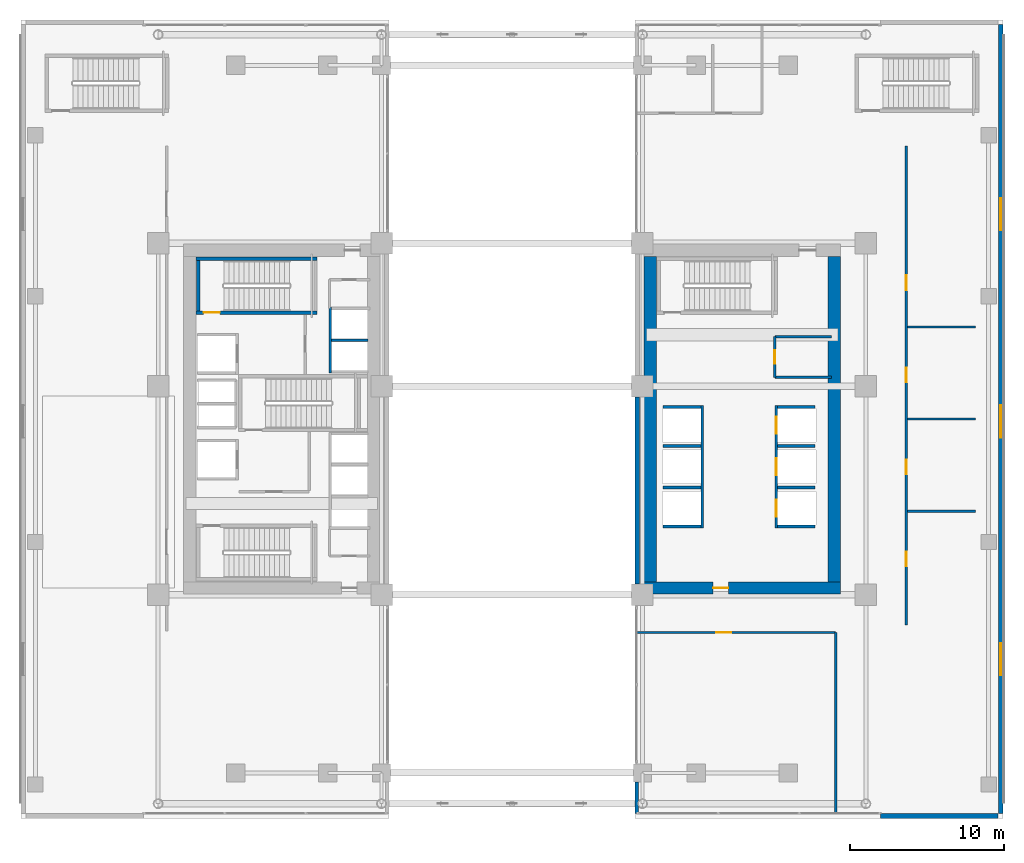
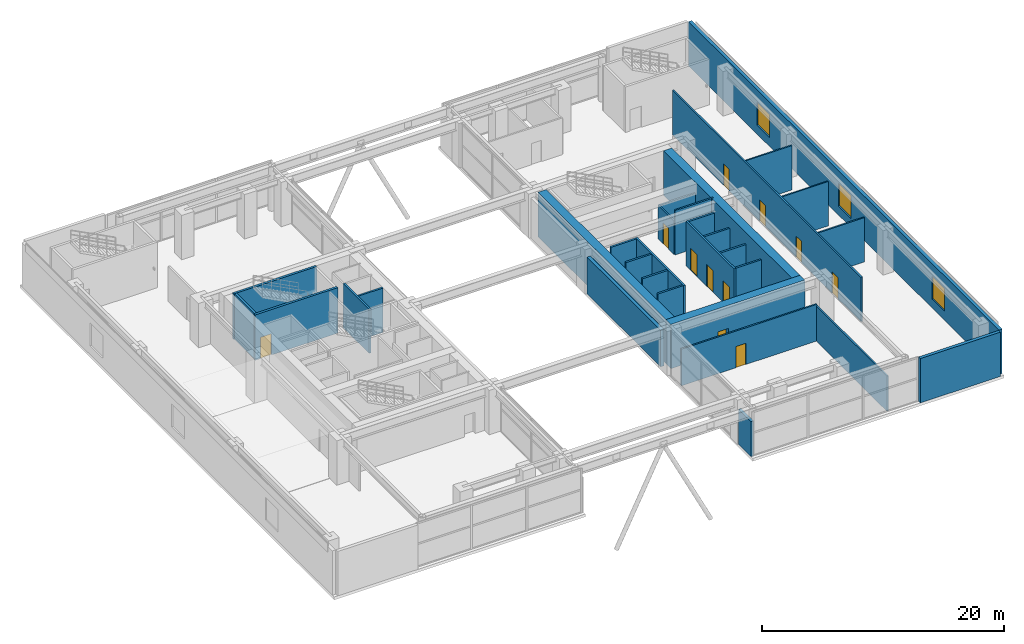
# One storey, part 23 of 30: 31 walls, 11 doors, 3 windows, 14 openings.
"""IFC4 building model written with IfcOpenShell, lengths in metres."""

from ifc_helpers import new_model, si_unit, direction, frame, frame_2d, origin, place, context, subcontext, project, spatial, rectangle, extrude, source, transform, mapped, material, layer, layer_set, type_object, element, fill, save


model = new_model("IFC4")

# Units and contexts
model_context = context("Model", 3, precision=1e-05, world=origin(), true_north=direction((0.0, 1.0)))
body_context = subcontext(model_context, "Body", "Model", "MODEL_VIEW")
ifc_project = project(units=[si_unit("LENGTHUNIT", "METRE"), si_unit("AREAUNIT", "SQUARE_METRE"), si_unit("VOLUMEUNIT", "CUBIC_METRE"), si_unit("PLANEANGLEUNIT", "RADIAN"), si_unit("MASSUNIT", "GRAM", prefix="KILO")], contexts=[model_context])

# Site, building, storey
site_placement = place(None, origin())
site = spatial("IfcSite", under=ifc_project, at=site_placement, CompositionType="ELEMENT")
building_placement = place(site_placement, origin())
building = spatial("IfcBuilding", under=site, at=building_placement, Name="Ocotamira Hotel", CompositionType="ELEMENT")
storey_placement = place(building_placement, frame((0.0, 0.0, 19.199951171875)))
storey = spatial("IfcBuildingStorey", under=building, at=storey_placement, Name="L04", CompositionType="ELEMENT", Elevation=19.199951171875)

# Wall, opening, door
ifc_material_1 = material(Name="Concrete C60/75", Category="concrete")
ifc_layer_1 = layer(ifc_material_1, 0.800048828125)
ifc_layer_set_1 = layer_set([ifc_layer_1], Name="Concrete C60/75")
wall_type_1 = type_object("IfcWallType", Name="WL-CORE-800", PredefinedType="SHEAR", material=ifc_layer_set_1)
wall_1_placement = place(storey_placement, frame((40.60009765625, 15.0, 0.0), z_axis=(0.0, 0.0, 1.0), x_axis=(1.0, 0.0, 0.0)))
wall_1 = element("IfcWall", 1, at=wall_1_placement, inside=storey, type_object=wall_type_1, Name="L04 Shear Core Wall ECORE-S", PredefinedType="SHEAR", context=body_context, shape_type="SweptSolid", body=[
    extrude(rectangle(XDim=12.7998046875, YDim=0.800048828125, at=frame_2d((6.39990234375, 0.0))), origin(), (0.0, 0.0, 1.0), 4.47998046875),
])
opening_1_placement = place(wall_1_placement, frame((4.5, 0.0, 0.0)))
opening_1 = element("IfcOpeningElement", 2, at=opening_1_placement, cuts=wall_1, Name="Opening D-FR2", PredefinedType="OPENING", context=body_context, shape_type="SweptSolid", body=[
    extrude(rectangle(XDim=1.0, YDim=2.14990234375, at=frame_2d((0.5, 1.074951171875))), frame((0.0, 0.41015625, 0.0), z_axis=(0.0, -1.0, 0.0), x_axis=(1.0, 0.0, 0.0)), (0.0, 0.0, 1.0), 0.820068359375),
])
ifc_material_2 = material(Name="Fire-rated acoustic timber-veneer door", Category="wood")
door_type_1 = type_object("IfcDoorType", Name="DR-FIRE-1000", OperationType="NOTDEFINED", PredefinedType="DOOR", material=ifc_material_2)
shared_shape_1 = source(origin(), body_context, "Body", "SweptSolid", [
    extrude(rectangle(XDim=1.0, YDim=2.14990234375, at=frame_2d((0.5, 1.074951171875))), frame((0.0, 0.02490234375, 0.0), z_axis=(0.0, -1.0, 0.0), x_axis=(1.0, 0.0, 0.0)), (0.0, 0.0, 1.0), 0.050048828125),
])
door_1_placement = place(opening_1_placement, origin())
door_1 = element("IfcDoor", 3, at=door_1_placement, inside=storey, type_object=door_type_1, Name="L04 Door ID-L04-ELOB-S-D [ID-L04-ELOB-S-D]", OperationType="SINGLE_SWING_RIGHT", OverallHeight=2.14990234375, OverallWidth=1.0, PredefinedType="DOOR", context=body_context, shape_type="MappedRepresentation", body=[
    mapped(shared_shape_1, transform((0.0, 0.0, 0.0), scale=1.0)),
])
fill(opening_1, door_1)

# Walls
for number, where, z_axis, x_axis, name in (
    (4, (41.0, 15.39990234375, 0.0), (0.0, 0.0, 1.0), (0.0, 1.0, 0.0), "L04 Shear Core Wall ECORE-W"),
    (5, (53.0, 15.39990234375, 0.0), (0.0, 0.0, 1.0), (0.0, 1.0, 0.0), "L04 Shear Core Wall ECORE-E"),
):
    element("IfcWall", number, at=place(storey_placement, frame(where, z_axis=z_axis, x_axis=x_axis)), inside=storey, type_object=wall_type_1, Name=name, PredefinedType="SHEAR", context=body_context, shape_type="SweptSolid", body=[
        extrude(rectangle(XDim=21.2001953125, YDim=0.800048828125, at=frame_2d((10.60009765625, 0.0))), origin(), (0.0, 0.0, 1.0), 4.47998046875),
    ])

# Wall, openings, windows
ifc_material_3 = material(Name="Travertine-clad precast concrete C45/55", Category="masonry")
ifc_layer_2 = layer(ifc_material_3, 0.300048828125)
ifc_layer_set_2 = layer_set([ifc_layer_2], Name="Travertine-clad precast concrete C45/55")
wall_type_2 = type_object("IfcWallType", Name="WL-EXT-POD-300", PredefinedType="SOLIDWALL", material=ifc_layer_set_2)
wall_2_placement = place(storey_placement, frame((63.85009765625, 51.699951171875, 0.0), z_axis=(0.0, 0.0, 1.0), x_axis=(0.0, -1.0, 0.0)))
wall_2 = element("IfcWall", 6, at=wall_2_placement, inside=storey, type_object=wall_type_2, Name="L04 East Podium Travertine Wall", PredefinedType="SOLIDWALL", context=body_context, shape_type="SweptSolid", body=[
    extrude(rectangle(XDim=51.39990234375, YDim=0.300048828125, at=frame_2d((25.699951171875, 0.0))), origin(), (0.0, 0.0, 1.0), 4.47998046875),
])
opening_2_placement = place(wall_2_placement, frame((40.300048828125, 0.0, 0.89990234375)))
opening_2 = element("IfcOpeningElement", 7, at=opening_2_placement, cuts=wall_2, Name="Opening WN-5", PredefinedType="OPENING", context=body_context, shape_type="SweptSolid", body=[
    extrude(rectangle(XDim=2.10009765625, YDim=2.300048828125, at=frame_2d((1.050048828125, 1.14990234375))), frame((0.0, 0.16015625, 0.0), z_axis=(0.0, -1.0, 0.0), x_axis=(1.0, 0.0, 0.0)), (0.0, 0.0, 1.0), 0.320068359375),
])
opening_3_placement = place(wall_2_placement, frame((24.800048828125, 0.0, 0.89990234375)))
opening_3 = element("IfcOpeningElement", 8, at=opening_3_placement, cuts=wall_2, Name="Opening WN-5", PredefinedType="OPENING", context=body_context, shape_type="SweptSolid", body=[
    extrude(rectangle(XDim=2.10009765625, YDim=2.300048828125, at=frame_2d((1.050048828125, 1.14990234375))), frame((0.0, 0.16015625, 0.0), z_axis=(0.0, -1.0, 0.0), x_axis=(1.0, 0.0, 0.0)), (0.0, 0.0, 1.0), 0.320068359375),
])
opening_4_placement = place(wall_2_placement, frame((11.300048828125, 0.0, 0.89990234375)))
opening_4 = element("IfcOpeningElement", 9, at=opening_4_placement, cuts=wall_2, Name="Opening WN-5", PredefinedType="OPENING", context=body_context, shape_type="SweptSolid", body=[
    extrude(rectangle(XDim=2.10009765625, YDim=2.300048828125, at=frame_2d((1.050048828125, 1.14990234375))), frame((0.0, 0.16015625, 0.0), z_axis=(0.0, -1.0, 0.0), x_axis=(1.0, 0.0, 0.0)), (0.0, 0.0, 1.0), 0.320068359375),
])
ifc_material_4 = material(Name="Double-silver low-E solar glass", Category="glass")
window_type = type_object("IfcWindowType", Name="WIN-POD-2100", PartitioningType="SINGLE_PANEL", PredefinedType="WINDOW", material=ifc_material_4)
shared_shape_2 = source(origin(), body_context, "Body", "SweptSolid", [
    extrude(rectangle(XDim=2.10009765625, YDim=2.300048828125, at=frame_2d((1.050048828125, 1.14990234375))), frame((0.0, 0.030029296875, 0.0), z_axis=(0.0, -1.0, 0.0), x_axis=(1.0, 0.0, 0.0)), (0.0, 0.0, 1.0), 0.06005859375),
])
window_1_placement = place(opening_2_placement, origin())
window_1 = element("IfcWindow", 10, at=window_1_placement, inside=storey, type_object=window_type, Name="L04 East Podium Window 1", OverallHeight=2.300048828125, OverallWidth=2.10009765625, PartitioningType="SINGLE_PANEL", PredefinedType="WINDOW", context=body_context, shape_type="MappedRepresentation", body=[
    mapped(shared_shape_2, transform((0.0, 0.0, 0.0), scale=1.0)),
])
fill(opening_2, window_1)
window_2_placement = place(opening_3_placement, origin())
window_2 = element("IfcWindow", 11, at=window_2_placement, inside=storey, type_object=window_type, Name="L04 East Podium Window 2", OverallHeight=2.300048828125, OverallWidth=2.10009765625, PartitioningType="SINGLE_PANEL", PredefinedType="WINDOW", context=body_context, shape_type="MappedRepresentation", body=[
    mapped(shared_shape_2, transform((0.0, 0.0, 0.0), scale=1.0)),
])
fill(opening_3, window_2)
window_3_placement = place(opening_4_placement, origin())
window_3 = element("IfcWindow", 12, at=window_3_placement, inside=storey, type_object=window_type, Name="L04 East Podium Window 3", OverallHeight=2.300048828125, OverallWidth=2.10009765625, PartitioningType="SINGLE_PANEL", PredefinedType="WINDOW", context=body_context, shape_type="MappedRepresentation", body=[
    mapped(shared_shape_2, transform((0.0, 0.0, 0.0), scale=1.0)),
])
fill(opening_4, window_3)

# Walls
wall_3_placement = place(storey_placement, frame((63.64990234375, 0.14990234375, 0.0), z_axis=(0.0, 0.0, 1.0), x_axis=(-1.0, 0.0, 0.0)))
element("IfcWall", 13, at=wall_3_placement, inside=storey, type_object=wall_type_2, Name="L04 S-East Podium Wall", PredefinedType="SOLIDWALL", context=body_context, shape_type="SweptSolid", body=[
    extrude(rectangle(XDim=7.64990234375, YDim=0.300048828125, at=frame_2d((3.824951171875, 0.0))), origin(), (0.0, 0.0, 1.0), 4.47998046875),
])
wall_4_placement = place(storey_placement, frame((40.1201171875, 0.300048828125, 0.0), z_axis=(0.0, 0.0, 1.0), x_axis=(0.0, 1.0, 0.0)))
element("IfcWall", 14, at=wall_4_placement, inside=storey, type_object=wall_type_2, Name="L04 Giant Arch South Corner Cheek Wall AE", PredefinedType="SOLIDWALL", context=body_context, shape_type="SweptSolid", body=[
    extrude(rectangle(XDim=2.050048828125, YDim=0.239990234375, at=frame_2d((1.02490234375, 0.0))), origin(), (0.0, 0.0, 1.0), 3.531982421875),
])
wall_5_placement = place(storey_placement, frame((40.14990234375, 15.25, 0.0), z_axis=(0.0, 0.0, 1.0), x_axis=(0.0, 1.0, 0.0)))
element("IfcWall", 15, at=wall_5_placement, inside=storey, type_object=wall_type_2, Name="L04 Giant Arch Core Cheek Wall AE-1", PredefinedType="SOLIDWALL", context=body_context, shape_type="SweptSolid", body=[
    extrude(rectangle(XDim=12.199951171875, YDim=0.300048828125, at=frame_2d((6.10009765625, 0.0))), origin(), (0.0, 0.0, 1.0), 3.700927734375),
])
ifc_material_5 = material(Name="Acoustic double-layer fire gypsum board partition", Category="gypsum")
ifc_layer_3 = layer(ifc_material_5, 0.159912109375)
ifc_layer_set_3 = layer_set([ifc_layer_3], Name="Acoustic double-layer fire gypsum board partition")
wall_type_3 = type_object("IfcWallType", Name="WL-FIRE-160", PredefinedType="PARTITIONING", material=ifc_layer_set_3)
wall_6_placement = place(storey_placement, frame((49.1201171875, 28.719970703125, 0.0), z_axis=(0.0, 0.0, 1.0), x_axis=(1.0, 0.0, 0.0)))
element("IfcWall", 16, at=wall_6_placement, inside=storey, type_object=wall_type_3, Name="L04 Interior Wall PW-L04-EC-NEC-S", PredefinedType="PARTITIONING", context=body_context, shape_type="SweptSolid", body=[
    extrude(rectangle(XDim=3.679931640625, YDim=0.159912109375, at=frame_2d((1.83984375, 0.0))), origin(), (0.0, 0.0, 1.0), 4.47998046875),
])
wall_7_placement = place(storey_placement, frame((49.1201171875, 31.3798828125, 0.0), z_axis=(0.0, 0.0, 1.0), x_axis=(1.0, 0.0, 0.0)))
element("IfcWall", 17, at=wall_7_placement, inside=storey, type_object=wall_type_3, Name="L04 Interior Wall PW-L04-EC-NEC-N", PredefinedType="PARTITIONING", context=body_context, shape_type="SweptSolid", body=[
    extrude(rectangle(XDim=3.679931640625, YDim=0.159912109375, at=frame_2d((1.83984375, 0.0))), origin(), (0.0, 0.0, 1.0), 3.380126953125),
])

# Wall, opening, door
wall_8_placement = place(storey_placement, frame((49.1201171875, 28.719970703125, 0.0), z_axis=(0.0, 0.0, 1.0), x_axis=(0.0, 1.0, 0.0)))
wall_8 = element("IfcWall", 18, at=wall_8_placement, inside=storey, type_object=wall_type_3, Name="L04 Interior Wall PW-L04-EC-NEC-W", PredefinedType="PARTITIONING", context=body_context, shape_type="SweptSolid", body=[
    extrude(rectangle(XDim=2.659912109375, YDim=0.159912109375, at=frame_2d((1.330078125, 0.0))), origin(), (0.0, 0.0, 1.0), 3.380126953125),
])
opening_5_placement = place(wall_8_placement, frame((0.89990234375, 0.0, 0.0)))
opening_5 = element("IfcOpeningElement", 19, at=opening_5_placement, cuts=wall_8, Name="Opening D-SV2", PredefinedType="OPENING", context=body_context, shape_type="SweptSolid", body=[
    extrude(rectangle(XDim=0.8798828125, YDim=2.14990234375, at=frame_2d((0.43994140625, 1.074951171875))), frame((0.0, 0.08984375, 0.0), z_axis=(0.0, -1.0, 0.0), x_axis=(1.0, 0.0, 0.0)), (0.0, 0.0, 1.0), 0.179931640625),
])
ifc_material_6 = material(Name="Fire-rated painted steel service door", Category="steel")
door_type_2 = type_object("IfcDoorType", Name="DR-SERV-880", OperationType="NOTDEFINED", PredefinedType="DOOR", material=ifc_material_6)
shared_shape_3 = source(origin(), body_context, "Body", "SweptSolid", [
    extrude(rectangle(XDim=0.8798828125, YDim=2.14990234375, at=frame_2d((0.43994140625, 1.074951171875))), frame((0.0, 0.02490234375, 0.0), z_axis=(0.0, -1.0, 0.0), x_axis=(1.0, 0.0, 0.0)), (0.0, 0.0, 1.0), 0.050048828125),
])
door_2_placement = place(opening_5_placement, origin())
door_2 = element("IfcDoor", 20, at=door_2_placement, inside=storey, type_object=door_type_2, Name="L04 Door ID-L04-EC-NEC-D [ID-L04-EC-NEC-D]", OperationType="SINGLE_SWING_LEFT", OverallHeight=2.14990234375, OverallWidth=0.8798828125, PredefinedType="DOOR", context=body_context, shape_type="MappedRepresentation", body=[
    mapped(shared_shape_3, transform((0.0, 0.0, 0.0), scale=1.0)),
])
fill(opening_5, door_2)

# Walls
ifc_material_7 = material(Name="Acoustic hospitality gypsum board partition", Category="gypsum")
ifc_layer_4 = layer(ifc_material_7, 0.135009765625)
ifc_layer_set_4 = layer_set([ifc_layer_4], Name="Acoustic hospitality gypsum board partition")
wall_type_4 = type_object("IfcWallType", Name="WL-PART-135", PredefinedType="PARTITIONING", material=ifc_layer_set_4)
for number, where, z_axis, x_axis, name in (
    (21, (57.760009765625, 20.0, 0.0), (0.0, 0.0, 1.0), (1.0, 0.0, 0.0), "L04 Interior Wall PW-L04-L04-MTDIV1"),
    (22, (57.760009765625, 26.0, 0.0), (0.0, 0.0, 1.0), (1.0, 0.0, 0.0), "L04 Interior Wall PW-L04-L04-MTDIV2"),
    (23, (57.760009765625, 32.0, 0.0), (0.0, 0.0, 1.0), (1.0, 0.0, 0.0), "L04 Interior Wall PW-L04-L04-MTDIV3"),
):
    element("IfcWall", number, at=place(storey_placement, frame(where, z_axis=z_axis, x_axis=x_axis)), inside=storey, type_object=wall_type_4, Name=name, PredefinedType="PARTITIONING", context=body_context, shape_type="SweptSolid", body=[
        extrude(rectangle(XDim=4.43994140625, YDim=0.135009765625, at=frame_2d((2.219970703125, 0.0))), origin(), (0.0, 0.0, 1.0), 4.47998046875),
    ])

# Wall, openings, doors
ifc_layer_5 = layer(ifc_material_7, 0.14990234375)
ifc_layer_set_5 = layer_set([ifc_layer_5], Name="Acoustic hospitality gypsum board partition")
wall_type_5 = type_object("IfcWallType", Name="WL-PART-150", PredefinedType="PARTITIONING", material=ifc_layer_set_5)
wall_9_placement = place(storey_placement, frame((57.679931640625, 12.60009765625, 0.0), z_axis=(0.0, 0.0, 1.0), x_axis=(0.0, 1.0, 0.0)))
wall_9 = element("IfcWall", 24, at=wall_9_placement, inside=storey, type_object=wall_type_5, Name="L04 Interior Wall PW-L04-L04-MTE-W", PredefinedType="PARTITIONING", context=body_context, shape_type="SweptSolid", body=[
    extrude(rectangle(XDim=31.199951171875, YDim=0.14990234375, at=frame_2d((15.60009765625, 0.0))), origin(), (0.0, 0.0, 1.0), 4.47998046875),
])
opening_6_placement = place(wall_9_placement, frame((3.800048828125, 0.0, 0.0)))
opening_6 = element("IfcOpeningElement", 25, at=opening_6_placement, cuts=wall_9, Name="Opening D-SV4", PredefinedType="OPENING", context=body_context, shape_type="SweptSolid", body=[
    extrude(rectangle(XDim=0.9599609375, YDim=2.14990234375, at=frame_2d((0.47998046875, 1.074951171875))), frame((0.0, 0.0849609375, 0.0), z_axis=(0.0, -1.0, 0.0), x_axis=(1.0, 0.0, 0.0)), (0.0, 0.0, 1.0), 0.169921875),
])
opening_7_placement = place(wall_9_placement, frame((9.800048828125, 0.0, 0.0)))
opening_7 = element("IfcOpeningElement", 26, at=opening_7_placement, cuts=wall_9, Name="Opening D-SV4", PredefinedType="OPENING", context=body_context, shape_type="SweptSolid", body=[
    extrude(rectangle(XDim=0.9599609375, YDim=2.14990234375, at=frame_2d((0.47998046875, 1.074951171875))), frame((0.0, 0.0849609375, 0.0), z_axis=(0.0, -1.0, 0.0), x_axis=(1.0, 0.0, 0.0)), (0.0, 0.0, 1.0), 0.169921875),
])
opening_8_placement = place(wall_9_placement, frame((15.800048828125, 0.0, 0.0)))
opening_8 = element("IfcOpeningElement", 27, at=opening_8_placement, cuts=wall_9, Name="Opening D-SV4", PredefinedType="OPENING", context=body_context, shape_type="SweptSolid", body=[
    extrude(rectangle(XDim=0.9599609375, YDim=2.14990234375, at=frame_2d((0.47998046875, 1.074951171875))), frame((0.0, 0.0849609375, 0.0), z_axis=(0.0, -1.0, 0.0), x_axis=(1.0, 0.0, 0.0)), (0.0, 0.0, 1.0), 0.169921875),
])
opening_9_placement = place(wall_9_placement, frame((21.800048828125, 0.0, 0.0)))
opening_9 = element("IfcOpeningElement", 28, at=opening_9_placement, cuts=wall_9, Name="Opening D-SV4", PredefinedType="OPENING", context=body_context, shape_type="SweptSolid", body=[
    extrude(rectangle(XDim=0.9599609375, YDim=2.14990234375, at=frame_2d((0.47998046875, 1.074951171875))), frame((0.0, 0.0849609375, 0.0), z_axis=(0.0, -1.0, 0.0), x_axis=(1.0, 0.0, 0.0)), (0.0, 0.0, 1.0), 0.169921875),
])
ifc_material_8 = material(Name="Fire-rated accessible walnut salon door", Category="wood")
door_type_3 = type_object("IfcDoorType", Name="DR-SERV-960", OperationType="NOTDEFINED", PredefinedType="DOOR", material=ifc_material_8)
shared_shape_4 = source(origin(), body_context, "Body", "SweptSolid", [
    extrude(rectangle(XDim=0.9599609375, YDim=2.14990234375, at=frame_2d((0.47998046875, 1.074951171875))), frame((0.0, 0.02490234375, 0.0), z_axis=(0.0, -1.0, 0.0), x_axis=(1.0, 0.0, 0.0)), (0.0, 0.0, 1.0), 0.050048828125),
])
door_3_placement = place(opening_6_placement, origin())
door_3 = element("IfcDoor", 29, at=door_3_placement, inside=storey, type_object=door_type_3, Name="L04 Door ID-L04-L04-MTD1 [ID-L04-L04-MTD1]", OperationType="SINGLE_SWING_LEFT", OverallHeight=2.14990234375, OverallWidth=0.9599609375, PredefinedType="DOOR", context=body_context, shape_type="MappedRepresentation", body=[
    mapped(shared_shape_4, transform((0.0, 0.0, 0.0), scale=1.0)),
])
fill(opening_6, door_3)
door_4_placement = place(opening_7_placement, origin())
door_4 = element("IfcDoor", 30, at=door_4_placement, inside=storey, type_object=door_type_3, Name="L04 Door ID-L04-L04-MTD2 [ID-L04-L04-MTD2]", OperationType="SINGLE_SWING_RIGHT", OverallHeight=2.14990234375, OverallWidth=0.9599609375, PredefinedType="DOOR", context=body_context, shape_type="MappedRepresentation", body=[
    mapped(shared_shape_4, transform((0.0, 0.0, 0.0), scale=1.0)),
])
fill(opening_7, door_4)
door_5_placement = place(opening_8_placement, origin())
door_5 = element("IfcDoor", 31, at=door_5_placement, inside=storey, type_object=door_type_3, Name="L04 Door ID-L04-L04-MTD3 [ID-L04-L04-MTD3]", OperationType="SINGLE_SWING_LEFT", OverallHeight=2.14990234375, OverallWidth=0.9599609375, PredefinedType="DOOR", context=body_context, shape_type="MappedRepresentation", body=[
    mapped(shared_shape_4, transform((0.0, 0.0, 0.0), scale=1.0)),
])
fill(opening_8, door_5)
door_6_placement = place(opening_9_placement, origin())
door_6 = element("IfcDoor", 32, at=door_6_placement, inside=storey, type_object=door_type_3, Name="L04 Door ID-L04-L04-MTD4 [ID-L04-L04-MTD4]", OperationType="SINGLE_SWING_RIGHT", OverallHeight=2.14990234375, OverallWidth=0.9599609375, PredefinedType="DOOR", context=body_context, shape_type="MappedRepresentation", body=[
    mapped(shared_shape_4, transform((0.0, 0.0, 0.0), scale=1.0)),
])
fill(opening_9, door_6)

# Wall
wall_10_placement = place(storey_placement, frame((53.080078125, 0.35009765625, 0.0), z_axis=(0.0, 0.0, 1.0), x_axis=(0.0, 1.0, 0.0)))
element("IfcWall", 33, at=wall_10_placement, inside=storey, type_object=wall_type_5, Name="L04 Interior Wall PW-L04-L04-BRD-E", PredefinedType="PARTITIONING", context=body_context, shape_type="SweptSolid", body=[
    extrude(rectangle(XDim=11.75, YDim=0.14990234375, at=frame_2d((5.875, 0.0))), origin(), (0.0, 0.0, 1.0), 3.552978515625),
])

# Wall, opening, door
wall_11_placement = place(storey_placement, frame((40.1201171875, 12.10009765625, 0.0), z_axis=(0.0, 0.0, 1.0), x_axis=(1.0, 0.0, 0.0)))
wall_11 = element("IfcWall", 34, at=wall_11_placement, inside=storey, type_object=wall_type_5, Name="L04 Interior Wall PW-L04-L04-BRD-N", PredefinedType="PARTITIONING", context=body_context, shape_type="SweptSolid", body=[
    extrude(rectangle(XDim=12.9599609375, YDim=0.14990234375, at=frame_2d((6.47998046875, 0.0))), origin(), (0.0, 0.0, 1.0), 3.700927734375),
])
opening_10_placement = place(wall_11_placement, frame((5.199951171875, 0.0, 0.0)))
opening_10 = element("IfcOpeningElement", 35, at=opening_10_placement, cuts=wall_11, Name="Opening D-SV4", PredefinedType="OPENING", context=body_context, shape_type="SweptSolid", body=[
    extrude(rectangle(XDim=0.9599609375, YDim=2.14990234375, at=frame_2d((0.47998046875, 1.074951171875))), frame((0.0, 0.0849609375, 0.0), z_axis=(0.0, -1.0, 0.0), x_axis=(1.0, 0.0, 0.0)), (0.0, 0.0, 1.0), 0.169921875),
])
door_7_placement = place(opening_10_placement, origin())
door_7 = element("IfcDoor", 36, at=door_7_placement, inside=storey, type_object=door_type_3, Name="L04 Door ID-L04-L04-BRD-D [ID-L04-L04-BRD-D]", OperationType="SINGLE_SWING_RIGHT", OverallHeight=2.14990234375, OverallWidth=0.9599609375, PredefinedType="DOOR", context=body_context, shape_type="MappedRepresentation", body=[
    mapped(shared_shape_4, transform((0.0, 0.0, 0.0), scale=1.0)),
])
fill(opening_10, door_7)

# Wall, openings, doors
ifc_material_9 = material(Name="Fire-rated gypsum shaftliner board assembly", Category="gypsum")
ifc_layer_6 = layer(ifc_material_9, 0.179931640625)
ifc_layer_set_6 = layer_set([ifc_layer_6], Name="Fire-rated gypsum shaftliner board assembly")
wall_type_6 = type_object("IfcWallType", Name="WL-SHAFT-180", PredefinedType="SOLIDWALL", material=ifc_layer_set_6)
wall_12_placement = place(storey_placement, frame((49.2099609375, 18.919921875, 0.0), z_axis=(0.0, 0.0, 1.0), x_axis=(0.0, 1.0, 0.0)))
wall_12 = element("IfcWall", 37, at=wall_12_placement, inside=storey, type_object=wall_type_6, Name="L04 Interior Wall PW-L04-LFW-BANK-low-F", PredefinedType="SOLIDWALL", context=body_context, shape_type="SweptSolid", body=[
    extrude(rectangle(XDim=7.9599609375, YDim=0.179931640625, at=frame_2d((3.97998046875, 0.0))), origin(), (0.0, 0.0, 1.0), 4.47998046875),
])
opening_11_placement = place(wall_12_placement, frame((0.72998046875, 0.0, 0.0)))
opening_11 = element("IfcOpeningElement", 38, at=opening_11_placement, cuts=wall_12, Name="Opening LD-LF-P1", PredefinedType="OPENING", context=body_context, shape_type="SweptSolid", body=[
    extrude(rectangle(XDim=1.10009765625, YDim=2.199951171875, at=frame_2d((0.550048828125, 1.10009765625))), frame((0.0, 0.10009765625, 0.0), z_axis=(0.0, -1.0, 0.0), x_axis=(1.0, 0.0, 0.0)), (0.0, 0.0, 1.0), 0.199951171875),
])
opening_12_placement = place(wall_12_placement, frame((3.429931640625, 0.0, 0.0)))
opening_12 = element("IfcOpeningElement", 39, at=opening_12_placement, cuts=wall_12, Name="Opening LD-LF-P2", PredefinedType="OPENING", context=body_context, shape_type="SweptSolid", body=[
    extrude(rectangle(XDim=1.10009765625, YDim=2.199951171875, at=frame_2d((0.550048828125, 1.10009765625))), frame((0.0, 0.10009765625, 0.0), z_axis=(0.0, -1.0, 0.0), x_axis=(1.0, 0.0, 0.0)), (0.0, 0.0, 1.0), 0.199951171875),
])
opening_13_placement = place(wall_12_placement, frame((6.1298828125, 0.0, 0.0)))
opening_13 = element("IfcOpeningElement", 40, at=opening_13_placement, cuts=wall_12, Name="Opening LD-LF-P3", PredefinedType="OPENING", context=body_context, shape_type="SweptSolid", body=[
    extrude(rectangle(XDim=1.10009765625, YDim=2.199951171875, at=frame_2d((0.550048828125, 1.10009765625))), frame((0.0, 0.10009765625, 0.0), z_axis=(0.0, -1.0, 0.0), x_axis=(1.0, 0.0, 0.0)), (0.0, 0.0, 1.0), 0.199951171875),
])
ifc_material_10 = material(Name="Brushed pale-metal stainless elevator landing door", Category="steel")
door_type_4 = type_object("IfcDoorType", Name="DR-LIFT-1100", OperationType="NOTDEFINED", PredefinedType="DOOR", material=ifc_material_10)
shared_shape_5 = source(origin(), body_context, "Body", "SweptSolid", [
    extrude(rectangle(XDim=1.10009765625, YDim=2.199951171875, at=frame_2d((0.550048828125, 1.10009765625))), frame((0.0, 0.02490234375, 0.0), z_axis=(0.0, -1.0, 0.0), x_axis=(1.0, 0.0, 0.0)), (0.0, 0.0, 1.0), 0.050048828125),
])
door_8_placement = place(opening_11_placement, origin())
door_8 = element("IfcDoor", 41, at=door_8_placement, inside=storey, type_object=door_type_4, Name="L04 Landing Door LD-LF-P1 [ID-L04-LD-LF-P1]", OperationType="DOUBLE_DOOR_SLIDING", OverallHeight=2.199951171875, OverallWidth=1.10009765625, PredefinedType="DOOR", context=body_context, shape_type="MappedRepresentation", body=[
    mapped(shared_shape_5, transform((0.0, 0.0, 0.0), scale=1.0)),
])
fill(opening_11, door_8)
door_9_placement = place(opening_12_placement, origin())
door_9 = element("IfcDoor", 42, at=door_9_placement, inside=storey, type_object=door_type_4, Name="L04 Landing Door LD-LF-P2 [ID-L04-LD-LF-P2]", OperationType="DOUBLE_DOOR_SLIDING", OverallHeight=2.199951171875, OverallWidth=1.10009765625, PredefinedType="DOOR", context=body_context, shape_type="MappedRepresentation", body=[
    mapped(shared_shape_5, transform((0.0, 0.0, 0.0), scale=1.0)),
])
fill(opening_12, door_9)
door_10_placement = place(opening_13_placement, origin())
door_10 = element("IfcDoor", 43, at=door_10_placement, inside=storey, type_object=door_type_4, Name="L04 Landing Door LD-LF-P3 [ID-L04-LD-LF-P3]", OperationType="DOUBLE_DOOR_SLIDING", OverallHeight=2.199951171875, OverallWidth=1.10009765625, PredefinedType="DOOR", context=body_context, shape_type="MappedRepresentation", body=[
    mapped(shared_shape_5, transform((0.0, 0.0, 0.0), scale=1.0)),
])
fill(opening_13, door_10)

# Walls
for number, where, z_axis, x_axis, name in (
    (44, (49.300048828125, 19.010009765625, 0.0), (0.0, 0.0, 1.0), (1.0, 0.0, 0.0), "L04 Interior Wall PW-L04-LFW-BANK-low-S"),
    (45, (49.300048828125, 26.7900390625, 0.0), (0.0, 0.0, 1.0), (1.0, 0.0, 0.0), "L04 Interior Wall PW-L04-LFW-BANK-low-N"),
    (46, (49.300048828125, 21.550048828125, 0.0), (0.0, 0.0, 1.0), (1.0, 0.0, 0.0), "L04 Interior Wall PW-L04-LFW-DIV-LF-P1"),
    (47, (49.300048828125, 24.25, 0.0), (0.0, 0.0, 1.0), (1.0, 0.0, 0.0), "L04 Interior Wall PW-L04-LFW-DIV-LF-P2"),
):
    element("IfcWall", number, at=place(storey_placement, frame(where, z_axis=z_axis, x_axis=x_axis)), inside=storey, type_object=wall_type_6, Name=name, PredefinedType="SOLIDWALL", context=body_context, shape_type="SweptSolid", body=[
        extrude(rectangle(XDim=2.449951171875, YDim=0.179931640625, at=frame_2d((1.22509765625, 0.0))), origin(), (0.0, 0.0, 1.0), 4.47998046875),
    ])
wall_13_placement = place(storey_placement, frame((44.389892578125, 18.919921875, 0.0), z_axis=(0.0, 0.0, 1.0), x_axis=(0.0, 1.0, 0.0)))
element("IfcWall", 48, at=wall_13_placement, inside=storey, type_object=wall_type_6, Name="L04 Interior Wall PW-L04-LFW-BANK-mid-F", PredefinedType="SOLIDWALL", context=body_context, shape_type="SweptSolid", body=[
    extrude(rectangle(XDim=7.9599609375, YDim=0.179931640625, at=frame_2d((3.97998046875, 0.0))), origin(), (0.0, 0.0, 1.0), 4.47998046875),
])
for number, where, z_axis, x_axis, name in (
    (49, (41.85009765625, 19.010009765625, 0.0), (0.0, 0.0, 1.0), (1.0, 0.0, 0.0), "L04 Interior Wall PW-L04-LFW-BANK-mid-S"),
    (50, (41.85009765625, 26.7900390625, 0.0), (0.0, 0.0, 1.0), (1.0, 0.0, 0.0), "L04 Interior Wall PW-L04-LFW-BANK-mid-N"),
    (51, (41.85009765625, 21.550048828125, 0.0), (0.0, 0.0, 1.0), (1.0, 0.0, 0.0), "L04 Interior Wall PW-L04-LFW-DIV-LF-P4"),
    (52, (41.85009765625, 24.25, 0.0), (0.0, 0.0, 1.0), (1.0, 0.0, 0.0), "L04 Interior Wall PW-L04-LFW-DIV-LF-P5"),
):
    element("IfcWall", number, at=place(storey_placement, frame(where, z_axis=z_axis, x_axis=x_axis)), inside=storey, type_object=wall_type_6, Name=name, PredefinedType="SOLIDWALL", context=body_context, shape_type="SweptSolid", body=[
        extrude(rectangle(XDim=2.449951171875, YDim=0.179931640625, at=frame_2d((1.22509765625, 0.0))), origin(), (0.0, 0.0, 1.0), 4.47998046875),
    ])
wall_14_placement = place(storey_placement, frame((20.159912109375, 29.0, 0.0), z_axis=(0.0, 0.0, 1.0), x_axis=(0.0, 1.0, 0.0)))
element("IfcWall", 53, at=wall_14_placement, inside=storey, type_object=wall_type_6, Name="L04 Interior Wall PW-L04-LFW-BANK-obs-F", PredefinedType="SOLIDWALL", context=body_context, shape_type="SweptSolid", body=[
    extrude(rectangle(XDim=4.2900390625, YDim=0.179931640625, at=frame_2d((2.14501953125, 0.0))), origin(), (0.0, 0.0, 1.0), 4.47998046875),
])
wall_15_placement = place(storey_placement, frame((20.25, 31.14501953125, 0.0), z_axis=(0.0, 0.0, 1.0), x_axis=(1.0, 0.0, 0.0)))
element("IfcWall", 54, at=wall_15_placement, inside=storey, type_object=wall_type_6, Name="L04 Interior Wall PW-L04-LFW-DIV-LF-OBS1", PredefinedType="SOLIDWALL", context=body_context, shape_type="SweptSolid", body=[
    extrude(rectangle(XDim=2.360107421875, YDim=0.179931640625, at=frame_2d((1.18017578125, 0.0))), origin(), (0.0, 0.0, 1.0), 4.47998046875),
])

# Wall, opening, door
ifc_material_11 = material(Name="Concrete C50/60", Category="concrete")
ifc_layer_7 = layer(ifc_material_11, 0.219970703125)
ifc_layer_set_7 = layer_set([ifc_layer_7], Name="Concrete C50/60")
wall_type_7 = type_object("IfcWallType", Name="WL-STAIR-220", PredefinedType="SHEAR", material=ifc_layer_set_7)
wall_16_placement = place(storey_placement, frame((11.39990234375, 32.93994140625, 0.0), z_axis=(0.0, 0.0, 1.0), x_axis=(1.0, 0.0, 0.0)))
wall_16 = element("IfcWall", 55, at=wall_16_placement, inside=storey, type_object=wall_type_7, Name="L04 Stair Shaft Structural Wall ST-2-S", PredefinedType="SHEAR", context=body_context, shape_type="SweptSolid", body=[
    extrude(rectangle(XDim=7.91015625, YDim=0.219970703125, at=frame_2d((3.955078125, 0.0))), origin(), (0.0, 0.0, 1.0), 4.60009765625),
])
opening_14_placement = place(wall_16_placement, frame((0.52001953125, 0.0, 0.0)))
opening_14 = element("IfcOpeningElement", 56, at=opening_14_placement, cuts=wall_16, Name="Opening D-ST2", PredefinedType="OPENING", context=body_context, shape_type="SweptSolid", body=[
    extrude(rectangle(XDim=1.050048828125, YDim=2.14990234375, at=frame_2d((0.52490234375, 1.074951171875))), frame((0.0, 0.1201171875, 0.0), z_axis=(0.0, -1.0, 0.0), x_axis=(1.0, 0.0, 0.0)), (0.0, 0.0, 1.0), 0.239990234375),
])
ifc_material_12 = material(Name="Insulated painted hollow-metal fire exit door", Category="steel")
door_type_5 = type_object("IfcDoorType", Name="DR-STAIR-1050", OperationType="NOTDEFINED", PredefinedType="DOOR", material=ifc_material_12)
shared_shape_6 = source(origin(), body_context, "Body", "SweptSolid", [
    extrude(rectangle(XDim=1.050048828125, YDim=2.14990234375, at=frame_2d((0.52490234375, 1.074951171875))), frame((0.0, 0.02490234375, 0.0), z_axis=(0.0, -1.0, 0.0), x_axis=(1.0, 0.0, 0.0)), (0.0, 0.0, 1.0), 0.050048828125),
])
door_11_placement = place(opening_14_placement, origin())
door_11 = element("IfcDoor", 57, at=door_11_placement, inside=storey, type_object=door_type_5, Name="L04 Door ID-L04-STD-ST-2 [ID-L04-STD-ST-2]", OperationType="SINGLE_SWING_RIGHT", OverallHeight=2.14990234375, OverallWidth=1.050048828125, PredefinedType="DOOR", context=body_context, shape_type="MappedRepresentation", body=[
    mapped(shared_shape_6, transform((0.0, 0.0, 0.0), scale=1.0)),
])
fill(opening_14, door_11)

# Walls
wall_17_placement = place(storey_placement, frame((11.39990234375, 36.43994140625, 0.0), z_axis=(0.0, 0.0, 1.0), x_axis=(1.0, 0.0, 0.0)))
element("IfcWall", 58, at=wall_17_placement, inside=storey, type_object=wall_type_7, Name="L04 Stair Shaft Structural Wall ST-2-N", PredefinedType="SHEAR", context=body_context, shape_type="SweptSolid", body=[
    extrude(rectangle(XDim=7.91015625, YDim=0.219970703125, at=frame_2d((3.955078125, 0.0))), origin(), (0.0, 0.0, 1.0), 4.60009765625),
])
wall_18_placement = place(storey_placement, frame((11.56005859375, 33.050048828125, 0.0), z_axis=(0.0, 0.0, 1.0), x_axis=(0.0, 1.0, 0.0)))
element("IfcWall", 59, at=wall_18_placement, inside=storey, type_object=wall_type_7, Name="L04 Stair Shaft Structural Wall ST-2-W", PredefinedType="SHEAR", context=body_context, shape_type="SweptSolid", body=[
    extrude(rectangle(XDim=3.280029296875, YDim=0.219970703125, at=frame_2d((1.64013671875, 0.0))), origin(), (0.0, 0.0, 1.0), 4.60009765625),
])

save(model, "model.ifc")
